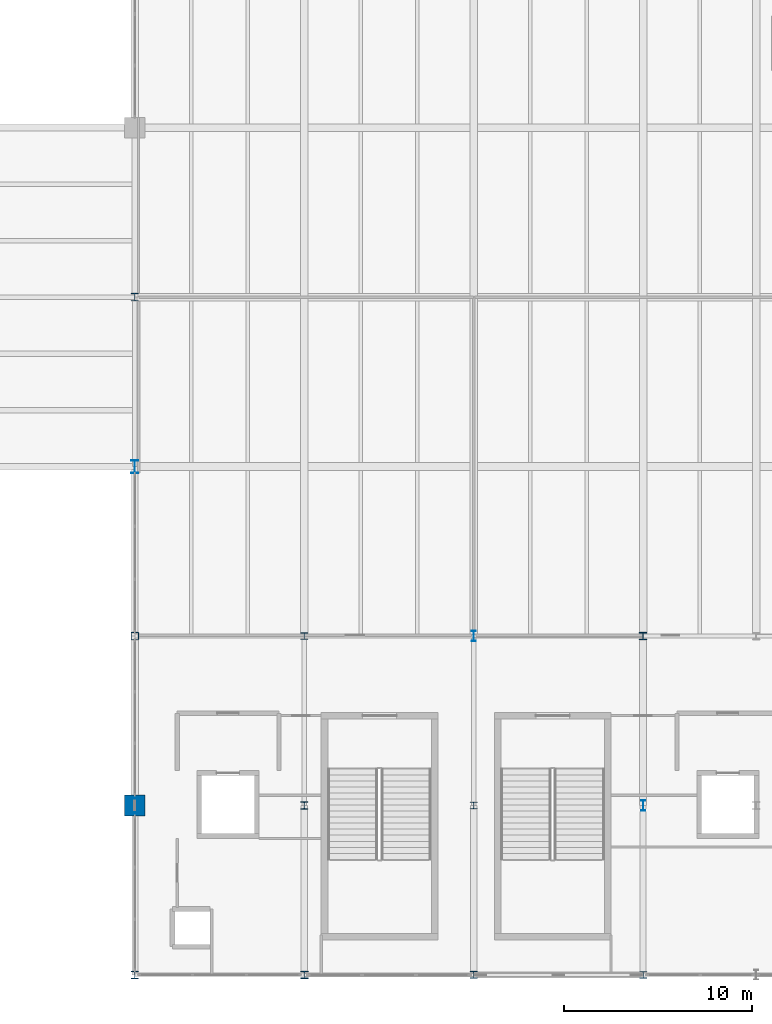
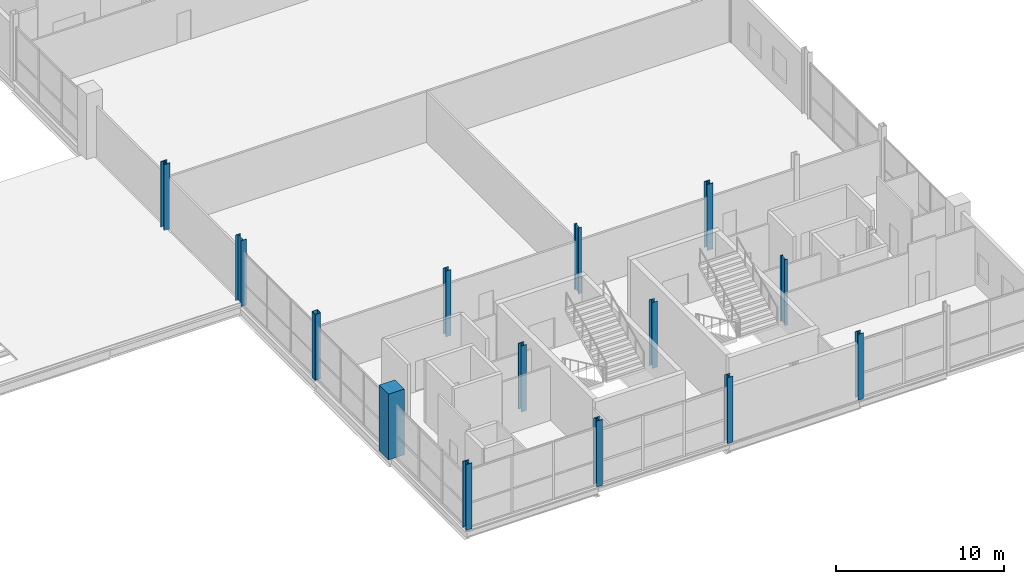
# One storey, part 1 of 50: 14 columns.
"""IFC4 building model written with IfcOpenShell, lengths in metres."""

from ifc_helpers import new_model, si_unit, direction, frame, origin, origin_2d, place, context, subcontext, project, spatial, rectangle, hollow_rectangle, i_section, extrude, material, material_profile, profile_set, type_object, element, save


model = new_model("IFC4")

# Units and contexts
model_context = context("Model", 3, precision=1e-05, world=origin(), true_north=direction((0.0, 1.0)))
body_context = subcontext(model_context, "Body", "Model", "MODEL_VIEW")
ifc_project = project(units=[si_unit("LENGTHUNIT", "METRE"), si_unit("AREAUNIT", "SQUARE_METRE"), si_unit("VOLUMEUNIT", "CUBIC_METRE"), si_unit("PLANEANGLEUNIT", "RADIAN"), si_unit("MASSUNIT", "GRAM", prefix="KILO")], contexts=[model_context])

# Site, building, storey
site_placement = place(None, origin())
site = spatial("IfcSite", under=ifc_project, at=site_placement, CompositionType="ELEMENT")
building_placement = place(site_placement, origin())
building = spatial("IfcBuilding", under=site, at=building_placement, Name="Qamarlyn Nura Convention Centre", CompositionType="ELEMENT")
storey_placement = place(building_placement, frame((0.0, 0.0, 20.39990234375)))
storey = spatial("IfcBuildingStorey", under=building, at=storey_placement, Name="L04", CompositionType="ELEMENT", Elevation=20.39990234375)

# Columns
ifc_material_1 = material(Name="Steel ASTM A500 Grade C", Category="steel")
ifc_material_profile_1 = material_profile(ifc_material_1, hollow_rectangle(XDim=0.39990234375, YDim=0.39990234375, WallThickness=0.01611328125, InnerFilletRadius=0.01611328125, OuterFilletRadius=0.031982421875, at=origin_2d()), Name="HSS400X400X16")
ifc_profile_set_1 = profile_set([ifc_material_profile_1], Name="Steel ASTM A500 Grade C")
column_type_1 = type_object("IfcColumnType", Name="COL-HSS-1", PredefinedType="COLUMN", material=ifc_profile_set_1)
column_1_placement = place(storey_placement, frame((153.0, 18.0, 0.0), z_axis=(0.0, 0.0, 1.0), x_axis=(1.0, 0.0, 0.0)))
element("IfcColumn", 1, at=column_1_placement, inside=storey, type_object=column_type_1, Name="L04 column 13/C", PredefinedType="COLUMN", context=body_context, shape_type="SweptSolid", body=[
    extrude(hollow_rectangle(XDim=0.39990234375, YDim=0.39990234375, WallThickness=0.01611328125, InnerFilletRadius=0.01611328125, OuterFilletRadius=0.031982421875, at=origin_2d()), origin(), (0.0, 0.0, 1.0), 4.800048828125),
])
ifc_material_2 = material(Name="Steel ASTM A992", Category="steel")
ifc_material_profile_2 = material_profile(ifc_material_2, i_section(OverallWidth=0.408935546875, OverallDepth=0.425048828125, WebThickness=0.030517578125, FlangeThickness=0.049072265625, FilletRadius=0.02001953125, at=origin_2d()), Name="W360X421")
ifc_profile_set_2 = profile_set([ifc_material_profile_2], Name="Steel ASTM A992")
column_type_2 = type_object("IfcColumnType", Name="COL-MEGA-1", PredefinedType="COLUMN", material=ifc_profile_set_2)
for number, where, z_axis, x_axis, name in (
    (2, (153.0, 0.0, 0.0), (0.0, 0.0, 1.0), (1.0, 0.0, 0.0), "L04 column 13/A"),
    (3, (153.0, 36.0, 0.0), (0.0, 0.0, 1.0), (1.0, 0.0, 0.0), "L04 column 13/E"),
):
    element("IfcColumn", number, at=place(storey_placement, frame(where, z_axis=z_axis, x_axis=x_axis)), inside=storey, type_object=column_type_2, Name=name, PredefinedType="COLUMN", context=body_context, shape_type="SweptSolid", body=[
        extrude(i_section(OverallWidth=0.408935546875, OverallDepth=0.425048828125, WebThickness=0.030517578125, FlangeThickness=0.049072265625, FilletRadius=0.02001953125, at=origin_2d()), origin(), (0.0, 0.0, 1.0), 4.800048828125),
    ])
ifc_material_3 = material(Name="Concrete C50/60", Category="concrete")
ifc_material_profile_3 = material_profile(ifc_material_3, rectangle(XDim=1.10009765625, YDim=1.10009765625, at=origin_2d()), Name="RC 1100x1100")
ifc_profile_set_3 = profile_set([ifc_material_profile_3], Name="Concrete C50/60")
column_type_3 = type_object("IfcColumnType", Name="COL-MEGA-2", PredefinedType="COLUMN", material=ifc_profile_set_3)
column_2_placement = place(storey_placement, frame((153.0, 9.0, 0.0), z_axis=(0.0, 0.0, 1.0), x_axis=(1.0, 0.0, 0.0)))
element("IfcColumn", 4, at=column_2_placement, inside=storey, type_object=column_type_3, Name="L04 column 13/B", PredefinedType="COLUMN", context=body_context, shape_type="SweptSolid", body=[
    extrude(rectangle(XDim=1.10009765625, YDim=1.10009765625, at=origin_2d()), origin(), (0.0, 0.0, 1.0), 4.800048828125),
])
ifc_material_profile_4 = material_profile(ifc_material_2, i_section(OverallWidth=0.39892578125, OverallDepth=0.39306640625, WebThickness=0.022705078125, FlangeThickness=0.03662109375, FilletRadius=0.01806640625, at=origin_2d()), Name="W360X287")
ifc_profile_set_4 = profile_set([ifc_material_profile_4], Name="Steel ASTM A992")
column_type_4 = type_object("IfcColumnType", Name="COL-WING-1", PredefinedType="COLUMN", material=ifc_profile_set_4)
for number, where, z_axis, x_axis, name in (
    (5, (162.0, 0.0, 0.0), (0.0, 0.0, 1.0), (1.0, 0.0, 0.0), "L04 column 14/A"),
    (6, (180.0, 18.0, 0.0), (0.0, 0.0, 1.0), (1.0, 0.0, 0.0), "L04 column 16/C"),
):
    element("IfcColumn", number, at=place(storey_placement, frame(where, z_axis=z_axis, x_axis=x_axis)), inside=storey, type_object=column_type_4, Name=name, PredefinedType="COLUMN", context=body_context, shape_type="SweptSolid", body=[
        extrude(i_section(OverallWidth=0.39892578125, OverallDepth=0.39306640625, WebThickness=0.022705078125, FlangeThickness=0.03662109375, FilletRadius=0.01806640625, at=origin_2d()), origin(), (0.0, 0.0, 1.0), 4.800048828125),
    ])
ifc_material_profile_5 = material_profile(ifc_material_2, i_section(OverallWidth=0.3740234375, OverallDepth=0.3720703125, WebThickness=0.016357421875, FlangeThickness=0.026123046875, FilletRadius=0.01611328125, at=origin_2d()), Name="W360X196")
ifc_profile_set_5 = profile_set([ifc_material_profile_5], Name="Steel ASTM A992")
column_type_5 = type_object("IfcColumnType", Name="COL-WING-2", PredefinedType="COLUMN", material=ifc_profile_set_5)
for number, where, z_axis, x_axis, name in (
    (7, (162.0, 9.0, 0.0), (0.0, 0.0, 1.0), (1.0, 0.0, 0.0), "L04 column 14/B"),
    (8, (171.0, 0.0, 0.0), (0.0, 0.0, 1.0), (1.0, 0.0, 0.0), "L04 column 15/A"),
):
    element("IfcColumn", number, at=place(storey_placement, frame(where, z_axis=z_axis, x_axis=x_axis)), inside=storey, type_object=column_type_5, Name=name, PredefinedType="COLUMN", context=body_context, shape_type="SweptSolid", body=[
        extrude(i_section(OverallWidth=0.3740234375, OverallDepth=0.3720703125, WebThickness=0.016357421875, FlangeThickness=0.026123046875, FilletRadius=0.01611328125, at=origin_2d()), origin(), (0.0, 0.0, 1.0), 4.800048828125),
    ])
ifc_material_profile_6 = material_profile(ifc_material_2, i_section(OverallWidth=0.368896484375, OverallDepth=0.35595703125, WebThickness=0.01123046875, FlangeThickness=0.01806640625, FilletRadius=0.014892578125, at=origin_2d()), Name="W360X134")
ifc_profile_set_6 = profile_set([ifc_material_profile_6], Name="Steel ASTM A992")
column_type_6 = type_object("IfcColumnType", Name="COL-WING-3", PredefinedType="COLUMN", material=ifc_profile_set_6)
for number, where, z_axis, x_axis, name in (
    (9, (162.0, 18.0, 0.0), (0.0, 0.0, 1.0), (1.0, 0.0, 0.0), "L04 column 14/C"),
    (10, (171.0, 9.0, 0.0), (0.0, 0.0, 1.0), (1.0, 0.0, 0.0), "L04 column 15/B"),
    (11, (180.0, 0.0, 0.0), (0.0, 0.0, 1.0), (1.0, 0.0, 0.0), "L04 column 16/A"),
):
    element("IfcColumn", number, at=place(storey_placement, frame(where, z_axis=z_axis, x_axis=x_axis)), inside=storey, type_object=column_type_6, Name=name, PredefinedType="COLUMN", context=body_context, shape_type="SweptSolid", body=[
        extrude(i_section(OverallWidth=0.368896484375, OverallDepth=0.35595703125, WebThickness=0.01123046875, FlangeThickness=0.01806640625, FilletRadius=0.014892578125, at=origin_2d()), origin(), (0.0, 0.0, 1.0), 4.800048828125),
    ])
ifc_material_profile_7 = material_profile(ifc_material_2, i_section(OverallWidth=0.35498046875, OverallDepth=0.695068359375, WebThickness=0.015380859375, FlangeThickness=0.02490234375, FilletRadius=0.01806640625, at=origin_2d()), Name="W690X217")
ifc_profile_set_7 = profile_set([ifc_material_profile_7], Name="Steel ASTM A992")
column_type_7 = type_object("IfcColumnType", Name="COL-WING-5", PredefinedType="COLUMN", material=ifc_profile_set_7)
column_3_placement = place(storey_placement, frame((153.0, 27.0, 0.0), z_axis=(0.0, 0.0, 1.0), x_axis=(1.0, 0.0, 0.0)))
element("IfcColumn", 12, at=column_3_placement, inside=storey, type_object=column_type_7, Name="L04 column 13/D", PredefinedType="COLUMN", context=body_context, shape_type="SweptSolid", body=[
    extrude(i_section(OverallWidth=0.35498046875, OverallDepth=0.695068359375, WebThickness=0.015380859375, FlangeThickness=0.02490234375, FilletRadius=0.01806640625, at=origin_2d()), origin(), (0.0, 0.0, 1.0), 4.800048828125),
])
ifc_material_profile_8 = material_profile(ifc_material_2, i_section(OverallWidth=0.2109375, OverallDepth=0.5390625, WebThickness=0.01171875, FlangeThickness=0.018798828125, FilletRadius=0.013916015625, at=origin_2d()), Name="W530X109")
ifc_profile_set_8 = profile_set([ifc_material_profile_8], Name="Steel ASTM A992")
column_type_8 = type_object("IfcColumnType", Name="COL-WING-7", PredefinedType="COLUMN", material=ifc_profile_set_8)
for number, where, z_axis, x_axis, name in (
    (13, (171.0, 18.0, 0.0), (0.0, 0.0, 1.0), (1.0, 0.0, 0.0), "L04 column 15/C"),
    (14, (180.0, 9.0, 0.0), (0.0, 0.0, 1.0), (1.0, 0.0, 0.0), "L04 column 16/B"),
):
    element("IfcColumn", number, at=place(storey_placement, frame(where, z_axis=z_axis, x_axis=x_axis)), inside=storey, type_object=column_type_8, Name=name, PredefinedType="COLUMN", context=body_context, shape_type="SweptSolid", body=[
        extrude(i_section(OverallWidth=0.2109375, OverallDepth=0.5390625, WebThickness=0.01171875, FlangeThickness=0.018798828125, FilletRadius=0.013916015625, at=origin_2d()), origin(), (0.0, 0.0, 1.0), 4.800048828125),
    ])

save(model, "model.ifc")
